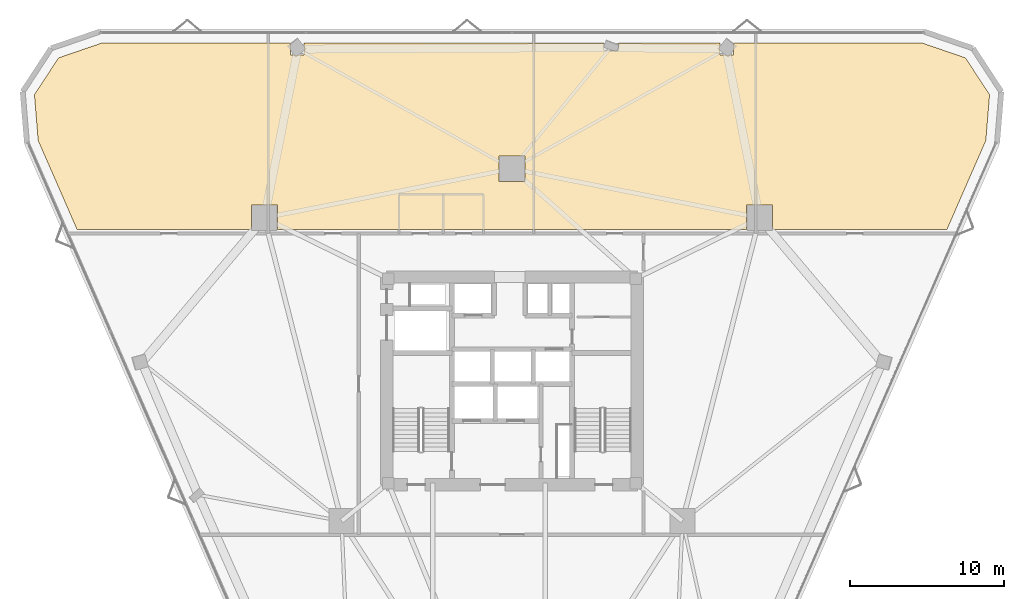
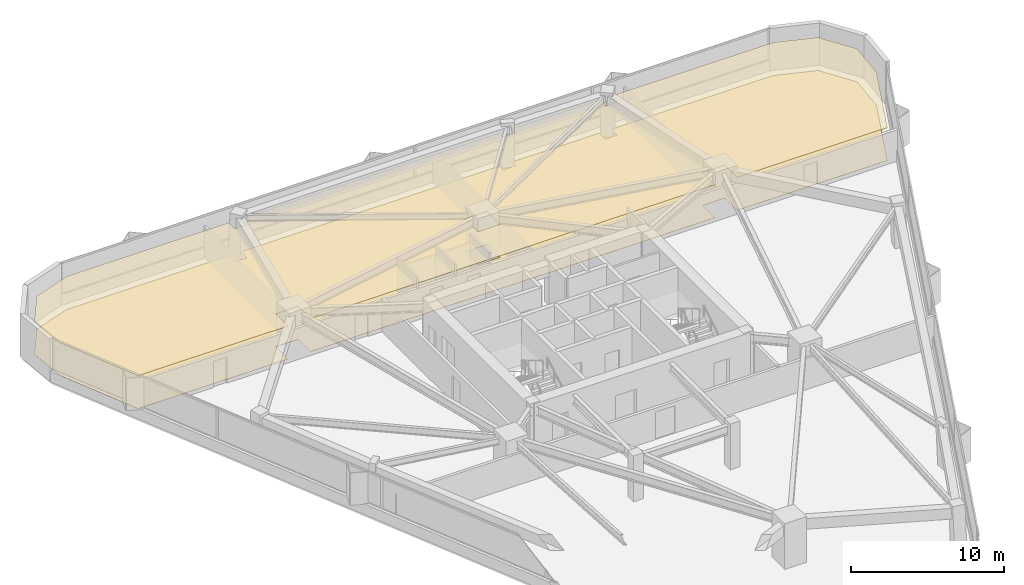
# One storey, part 20 of 20: 2 coverings.
"""IFC4 building model written with IfcOpenShell, lengths in metres."""

import ifcopenshell
import ifcopenshell.guid

model = None  # the IFC model being written
_history = None  # IfcOwnerHistory: only IFC2X3 demands one
_inside = {}  # id of a spatial element -> (the spatial element, [elements in it])
_under = {}  # id of a project, library or spatial element -> (it, [spatial elements below it])
_declared = {}  # id of a project -> (the project, [libraries it declares])
_typed = {}  # id of a type object -> (the type object, [elements of that type])
_made_of = {}  # id of a material, layer set ... -> (it, [elements and type objects made of it])


def new_model(schema):
    """Start an empty IFC model of exactly this schema.

    Asked for "IFC4X3", IfcOpenShell would pick the latest addendum, in which some entities
    have other attributes; the version numbers below select the first issue.
    IFC2X3 requires an IfcOwnerHistory on every rooted entity: one is made here for all.
    """
    global model, _history
    if schema == "IFC4X3":
        model = ifcopenshell.file(schema_version=(4, 3, 0, 0))
    else:
        model = ifcopenshell.file(schema=schema)
    _inside.clear()
    _under.clear()
    _declared.clear()
    _typed.clear()
    _made_of.clear()
    _history = None
    if model.schema == "IFC2X3":
        org = make("IfcOrganization", Name="unknown")
        user = make(
            "IfcPersonAndOrganization",
            ThePerson=make("IfcPerson", FamilyName="unknown"),
            TheOrganization=org,
        )
        app = make(
            "IfcApplication",
            ApplicationDeveloper=org,
            Version="unknown",
            ApplicationFullName="unknown",
            ApplicationIdentifier="unknown",
        )
        _history = make(
            "IfcOwnerHistory",
            OwningUser=user,
            OwningApplication=app,
            ChangeAction="ADDED",
            CreationDate=0,
        )
    return model


def make(cls, **values):
    """One entity of the class cls with the attributes given. An attribute that is None is left unset."""
    return model.create_entity(
        cls, **{name: value for name, value in values.items() if value is not None}
    )


def rooted(cls, **values):
    """An entity with a GlobalId (a new one), such as an element, a storey or a relation."""
    return make(cls, GlobalId=ifcopenshell.guid.new(), OwnerHistory=_history, **values)


def si_unit(unit_type, name, prefix=None):
    """IfcSIUnit, for example si_unit("LENGTHUNIT", "METRE", prefix="MILLI")."""
    return make("IfcSIUnit", UnitType=unit_type, Prefix=prefix, Name=name)


def assignment(units):
    """IfcUnitAssignment: the units of a project."""
    return None if units is None else make("IfcUnitAssignment", Units=units)


def point(xyz):
    """IfcCartesianPoint."""
    return None if xyz is None else make("IfcCartesianPoint", Coordinates=xyz)


def direction(xyz):
    """IfcDirection."""
    return None if xyz is None else make("IfcDirection", DirectionRatios=xyz)


def frame(location, z_axis=None, x_axis=None):
    """IfcAxis2Placement3D, a coordinate frame: its origin and axes. An axis left out is left unset."""
    return make(
        "IfcAxis2Placement3D",
        Location=point(location),
        Axis=direction(z_axis),
        RefDirection=direction(x_axis),
    )


def origin():
    """The frame at (0, 0, 0) with its axes left unset."""
    return frame((0.0, 0.0, 0.0))


def place(relative_to, where):
    """IfcLocalPlacement: puts the frame where relative to a parent placement (None: the world)."""
    return make(
        "IfcLocalPlacement", PlacementRelTo=relative_to, RelativePlacement=where
    )


def context(
    kind, dimensions, precision=None, world=None, true_north=None, identifier=None
):
    """IfcGeometricRepresentationContext, for example the 3D "Model" context."""
    return make(
        "IfcGeometricRepresentationContext",
        ContextIdentifier=identifier,
        ContextType=kind,
        CoordinateSpaceDimension=dimensions,
        Precision=precision,
        WorldCoordinateSystem=world,
        TrueNorth=true_north,
    )


def subcontext(parent, identifier, kind, view, scale=None):
    """IfcGeometricRepresentationSubContext, for example "Body" below "Model"."""
    return make(
        "IfcGeometricRepresentationSubContext",
        ContextIdentifier=identifier,
        ContextType=kind,
        ParentContext=parent,
        TargetScale=scale,
        TargetView=view,
    )


def project(units=None, contexts=None):
    """IfcProject with its units and contexts."""
    return rooted(
        "IfcProject",
        Name="project",
        RepresentationContexts=contexts,
        UnitsInContext=assignment(units),
    )


def spatial(cls, under=None, at=None, **own):
    """A site, building, storey or space (cls), placed at a placement, below another one or the project."""
    s = rooted(cls, ObjectPlacement=at, **own)
    if under is not None:
        _under.setdefault(under.id(), (under, []))[1].append(s)
    return s


def polyline(points):
    """IfcPolyline through the points."""
    return make("IfcPolyline", Points=[point(p) for p in points])


def outline(outer, holes=None, kind="AREA"):
    """IfcArbitraryClosedProfileDef: a profile drawn as a closed curve; with holes, ...WithVoids."""
    if holes is None:
        return make("IfcArbitraryClosedProfileDef", ProfileType=kind, OuterCurve=outer)
    return make(
        "IfcArbitraryProfileDefWithVoids",
        ProfileType=kind,
        OuterCurve=outer,
        InnerCurves=holes,
    )


def extrude(swept, where, along, depth):
    """IfcExtrudedAreaSolid: the profile swept, set in the frame where, extruded along a direction by depth."""
    return make(
        "IfcExtrudedAreaSolid",
        SweptArea=swept,
        Position=where,
        ExtrudedDirection=direction(along),
        Depth=depth,
    )


def shape(context_of_items, identifier, shape_type, items):
    """IfcShapeRepresentation: the items that make up one representation, for example the "Body"."""
    return make(
        "IfcShapeRepresentation",
        ContextOfItems=context_of_items,
        RepresentationIdentifier=identifier,
        RepresentationType=shape_type,
        Items=items,
    )


def material(Name=None, Category=None):
    """IfcMaterial."""
    return make("IfcMaterial", Name=Name, Category=Category)


def layer(
    of_material, thickness, ventilated=None, Name=None, Category=None, Priority=None
):
    """IfcMaterialLayer: one layer of a wall or slab, of a material (None: an air gap)."""
    return make(
        "IfcMaterialLayer",
        Material=of_material,
        LayerThickness=thickness,
        IsVentilated=ventilated,
        Name=Name,
        Category=Category,
        Priority=Priority,
    )


def layer_set(layers, Name=None):
    """IfcMaterialLayerSet."""
    return make("IfcMaterialLayerSet", MaterialLayers=layers, LayerSetName=Name)


def made_of(thing, what):
    """Note that an element or type object is made of a material, layer set ...; save() writes the relation."""
    if what is not None:
        _made_of.setdefault(what.id(), (what, []))[1].append(thing)
    return thing


def type_object(cls, material=None, **own):
    """A type object (cls), such as IfcWallType, which elements share."""
    return made_of(rooted(cls, **own), material)


def element(
    cls,
    number,
    at=None,
    inside=None,
    cuts=None,
    type_object=None,
    material=None,
    context=None,
    identifier="Body",
    shape_type=None,
    held_by="IfcProductDefinitionShape",
    body=None,
    shapes=None,
    **own,
):
    """One element of the class cls, such as IfcWall. Its Tag is "e" and its number.

    at: its placement. inside: the storey or other place that contains it. cuts: it is an
    opening in that element (IfcRelVoidsElement). A single representation is given by context,
    identifier, shape_type and body (its items); several are given by shapes. held_by: the class
    of the entity that holds the representations. save() writes the other relations.
    """
    e = rooted(cls, Tag="e%d" % number, ObjectPlacement=at, **own)
    if body is not None:
        shapes = [shape(context, identifier, shape_type, body)]
    if shapes is not None:
        e.Representation = make(held_by, Representations=shapes)
    if inside is not None:
        _inside.setdefault(inside.id(), (inside, []))[1].append(e)
    if cuts is not None:
        rooted(
            "IfcRelVoidsElement", RelatingBuildingElement=cuts, RelatedOpeningElement=e
        )
    if type_object is not None:
        _typed.setdefault(type_object.id(), (type_object, []))[1].append(e)
    return made_of(e, material)


def aggregate(whole, parts):
    """IfcRelAggregates: a whole, such as a stair, and the parts it consists of."""
    return rooted("IfcRelAggregates", RelatingObject=whole, RelatedObjects=parts)


def save(model, path):
    """Write the relations noted so far, then the file.

    IfcRelAggregates (storeys below a building ...), IfcRelContainedInSpatialStructure (elements
    in a storey), IfcRelDefinesByType, IfcRelAssociatesMaterial and IfcRelDeclares: one each for
    every whole, place, type object, material and project.
    """
    for whole, parts in _under.values():
        aggregate(whole, parts)
    for where, things in _inside.values():
        rooted(
            "IfcRelContainedInSpatialStructure",
            RelatedElements=things,
            RelatingStructure=where,
        )
    for kind, things in _typed.values():
        rooted("IfcRelDefinesByType", RelatedObjects=things, RelatingType=kind)
    for what, things in _made_of.values():
        rooted("IfcRelAssociatesMaterial", RelatedObjects=things, RelatingMaterial=what)
    for by, libraries in _declared.values():
        rooted("IfcRelDeclares", RelatingContext=by, RelatedDefinitions=libraries)
    model.write(path)


model = new_model("IFC4")

# Units and contexts
model_context = context("Model", 3, precision=1e-05, world=origin(), true_north=direction((0.0, 1.0)))
body_context = subcontext(model_context, "Body", "Model", "MODEL_VIEW")
ifc_project = project(units=[si_unit("LENGTHUNIT", "METRE"), si_unit("AREAUNIT", "SQUARE_METRE"), si_unit("VOLUMEUNIT", "CUBIC_METRE"), si_unit("PLANEANGLEUNIT", "RADIAN"), si_unit("MASSUNIT", "GRAM", prefix="KILO")], contexts=[model_context])

# Site, building, storey
site_placement = place(None, origin())
site = spatial("IfcSite", under=ifc_project, at=site_placement, CompositionType="ELEMENT")
building_placement = place(site_placement, origin())
building = spatial("IfcBuilding", under=site, at=building_placement, Name="Talyreon Biosciences Tower", CompositionType="ELEMENT")
storey_placement = place(building_placement, frame((0.0, 0.0, 78.64990234375)))
storey = spatial("IfcBuildingStorey", under=building, at=storey_placement, Name="L20", CompositionType="ELEMENT", Elevation=78.64990234375)

# Coverings
ifc_material_1 = material(Name="Cleanable acoustic mineral-fibre ceiling tile", Category="gypsum")
ifc_layer_1 = layer(ifc_material_1, 0.0400390625)
ifc_layer_set_1 = layer_set([ifc_layer_1], Name="Cleanable acoustic mineral-fibre ceiling tile")
covering_type_1 = type_object("IfcCoveringType", Name="AcousticCleanroomCeiling_40", PredefinedType="CEILING", material=ifc_layer_set_1)
covering_1_placement = place(storey_placement, frame((0.0, 0.0, 2.614990234375)))
element("IfcCovering", 1, at=covering_1_placement, inside=storey, type_object=covering_type_1, Name="L20 Acoustic Laboratory Ceiling", PredefinedType="CEILING", context=body_context, shape_type="SweptSolid", body=[
    extrude(outline(polyline([(34.944091796875, 86.605224609375), (36.509765625, 88.9990234375), (39.340576171875, 89.97021484375), (51.5830078125, 89.97021484375), (51.5830078125, 89.19140625), (52.462890625, 89.19140625), (52.462890625, 89.97021484375), (71.98583984375, 89.97021484375), (71.98583984375, 89.4912109375), (72.916015625, 89.4912109375), (72.916015625, 89.97021484375), (79.537109375, 89.97021484375), (79.537109375, 89.19140625), (80.4169921875, 89.19140625), (80.4169921875, 89.97021484375), (92.659423828125, 89.97021484375), (95.490234375, 88.9990234375), (97.055908203125, 86.605224609375), (96.8115234375, 83.62255859375), (94.2783203125, 77.830078125), (82.9423828125, 77.830078125), (82.9423828125, 79.438720703125), (81.262451171875, 79.438720703125), (81.262451171875, 77.830078125), (50.737548828125, 77.830078125), (50.737548828125, 79.438720703125), (49.0576171875, 79.438720703125), (49.0576171875, 77.830078125), (37.7216796875, 77.830078125), (35.1884765625, 83.62255859375), (34.944091796875, 86.605224609375)]), holes=[polyline([(65.159912109375, 80.948974609375), (66.840087890625, 80.948974609375), (66.840087890625, 82.62890625), (65.159912109375, 82.62890625), (65.159912109375, 80.948974609375)])]), origin(), (0.0, 0.0, 1.0), 0.0400390625),
])
ifc_material_2 = material(Name="Chemical-resistant seamless epoxy resin flooring", Category="plastic")
ifc_layer_2 = layer(ifc_material_2, 0.014892578125)
ifc_layer_set_2 = layer_set([ifc_layer_2], Name="Chemical-resistant seamless epoxy resin flooring")
covering_type_2 = type_object("IfcCoveringType", Name="SeamlessEpoxyLabFlooring_15", PredefinedType="FLOORING", material=ifc_layer_set_2)
covering_2_placement = place(storey_placement, origin())
element("IfcCovering", 2, at=covering_2_placement, inside=storey, type_object=covering_type_2, Name="L20 Laboratory Floor Finish", PredefinedType="FLOORING", context=body_context, shape_type="SweptSolid", body=[
    extrude(outline(polyline([(34.944091796875, 86.605224609375), (36.509765625, 88.9990234375), (39.340576171875, 89.97021484375), (51.5830078125, 89.97021484375), (51.5830078125, 89.19140625), (52.462890625, 89.19140625), (52.462890625, 89.97021484375), (71.98583984375, 89.97021484375), (71.98583984375, 89.4912109375), (72.916015625, 89.4912109375), (72.916015625, 89.97021484375), (79.537109375, 89.97021484375), (79.537109375, 89.19140625), (80.4169921875, 89.19140625), (80.4169921875, 89.97021484375), (92.659423828125, 89.97021484375), (95.490234375, 88.9990234375), (97.055908203125, 86.605224609375), (96.8115234375, 83.62255859375), (94.2783203125, 77.830078125), (82.9423828125, 77.830078125), (82.9423828125, 79.438720703125), (81.262451171875, 79.438720703125), (81.262451171875, 77.830078125), (50.737548828125, 77.830078125), (50.737548828125, 79.438720703125), (49.0576171875, 79.438720703125), (49.0576171875, 77.830078125), (37.7216796875, 77.830078125), (35.1884765625, 83.62255859375), (34.944091796875, 86.605224609375)]), holes=[polyline([(65.159912109375, 80.948974609375), (66.840087890625, 80.948974609375), (66.840087890625, 82.62890625), (65.159912109375, 82.62890625), (65.159912109375, 80.948974609375)])]), origin(), (0.0, 0.0, 1.0), 0.01513671875),
])

save(model, "model.ifc")
